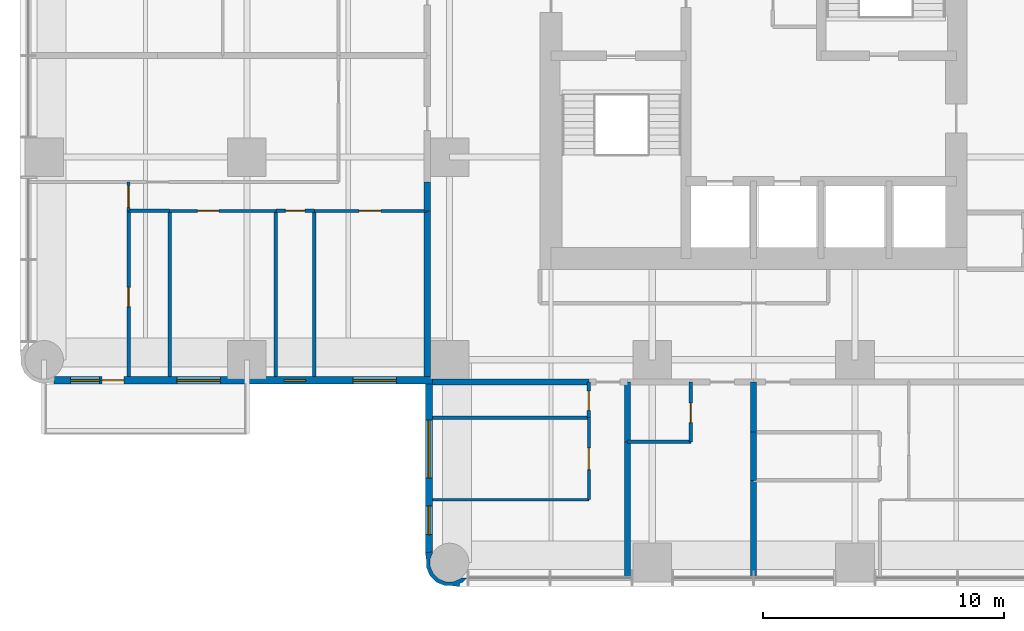
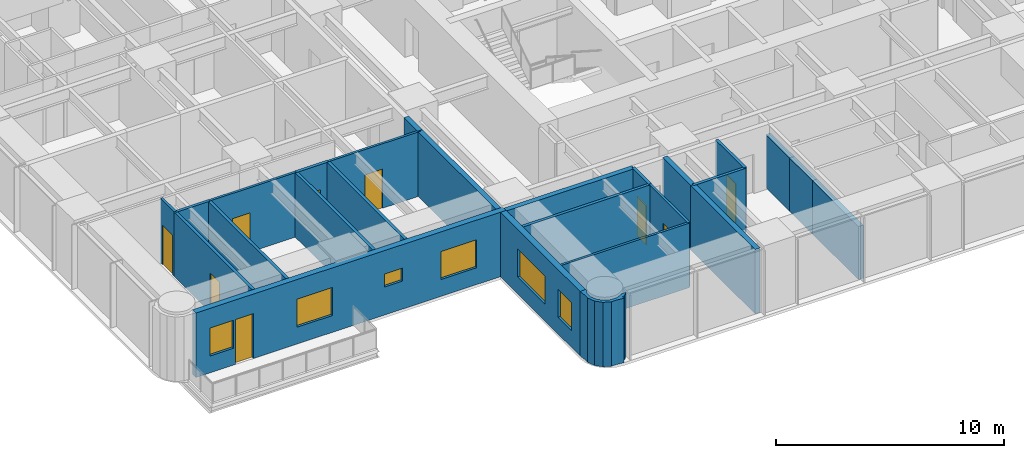
# One storey, part 6 of 14: 26 walls, 9 doors, 6 windows, 15 openings.
"""IFC4 building model written with IfcOpenShell, lengths in metres."""

import ifcopenshell
import ifcopenshell.guid

model = None  # the IFC model being written
_history = None  # IfcOwnerHistory: only IFC2X3 demands one
_inside = {}  # id of a spatial element -> (the spatial element, [elements in it])
_under = {}  # id of a project, library or spatial element -> (it, [spatial elements below it])
_declared = {}  # id of a project -> (the project, [libraries it declares])
_typed = {}  # id of a type object -> (the type object, [elements of that type])
_made_of = {}  # id of a material, layer set ... -> (it, [elements and type objects made of it])


def new_model(schema):
    """Start an empty IFC model of exactly this schema.

    Asked for "IFC4X3", IfcOpenShell would pick the latest addendum, in which some entities
    have other attributes; the version numbers below select the first issue.
    IFC2X3 requires an IfcOwnerHistory on every rooted entity: one is made here for all.
    """
    global model, _history
    if schema == "IFC4X3":
        model = ifcopenshell.file(schema_version=(4, 3, 0, 0))
    else:
        model = ifcopenshell.file(schema=schema)
    _inside.clear()
    _under.clear()
    _declared.clear()
    _typed.clear()
    _made_of.clear()
    _history = None
    if model.schema == "IFC2X3":
        org = make("IfcOrganization", Name="unknown")
        user = make(
            "IfcPersonAndOrganization",
            ThePerson=make("IfcPerson", FamilyName="unknown"),
            TheOrganization=org,
        )
        app = make(
            "IfcApplication",
            ApplicationDeveloper=org,
            Version="unknown",
            ApplicationFullName="unknown",
            ApplicationIdentifier="unknown",
        )
        _history = make(
            "IfcOwnerHistory",
            OwningUser=user,
            OwningApplication=app,
            ChangeAction="ADDED",
            CreationDate=0,
        )
    return model


def make(cls, **values):
    """One entity of the class cls with the attributes given. An attribute that is None is left unset."""
    return model.create_entity(
        cls, **{name: value for name, value in values.items() if value is not None}
    )


def rooted(cls, **values):
    """An entity with a GlobalId (a new one), such as an element, a storey or a relation."""
    return make(cls, GlobalId=ifcopenshell.guid.new(), OwnerHistory=_history, **values)


def si_unit(unit_type, name, prefix=None):
    """IfcSIUnit, for example si_unit("LENGTHUNIT", "METRE", prefix="MILLI")."""
    return make("IfcSIUnit", UnitType=unit_type, Prefix=prefix, Name=name)


def assignment(units):
    """IfcUnitAssignment: the units of a project."""
    return None if units is None else make("IfcUnitAssignment", Units=units)


def point(xyz):
    """IfcCartesianPoint."""
    return None if xyz is None else make("IfcCartesianPoint", Coordinates=xyz)


def direction(xyz):
    """IfcDirection."""
    return None if xyz is None else make("IfcDirection", DirectionRatios=xyz)


def frame(location, z_axis=None, x_axis=None):
    """IfcAxis2Placement3D, a coordinate frame: its origin and axes. An axis left out is left unset."""
    return make(
        "IfcAxis2Placement3D",
        Location=point(location),
        Axis=direction(z_axis),
        RefDirection=direction(x_axis),
    )


def frame_2d(location, x_axis=None):
    """IfcAxis2Placement2D, a coordinate frame in the plane: its origin and x axis."""
    return make(
        "IfcAxis2Placement2D", Location=point(location), RefDirection=direction(x_axis)
    )


def origin():
    """The frame at (0, 0, 0) with its axes left unset."""
    return frame((0.0, 0.0, 0.0))


def place(relative_to, where):
    """IfcLocalPlacement: puts the frame where relative to a parent placement (None: the world)."""
    return make(
        "IfcLocalPlacement", PlacementRelTo=relative_to, RelativePlacement=where
    )


def context(
    kind, dimensions, precision=None, world=None, true_north=None, identifier=None
):
    """IfcGeometricRepresentationContext, for example the 3D "Model" context."""
    return make(
        "IfcGeometricRepresentationContext",
        ContextIdentifier=identifier,
        ContextType=kind,
        CoordinateSpaceDimension=dimensions,
        Precision=precision,
        WorldCoordinateSystem=world,
        TrueNorth=true_north,
    )


def subcontext(parent, identifier, kind, view, scale=None):
    """IfcGeometricRepresentationSubContext, for example "Body" below "Model"."""
    return make(
        "IfcGeometricRepresentationSubContext",
        ContextIdentifier=identifier,
        ContextType=kind,
        ParentContext=parent,
        TargetScale=scale,
        TargetView=view,
    )


def project(units=None, contexts=None):
    """IfcProject with its units and contexts."""
    return rooted(
        "IfcProject",
        Name="project",
        RepresentationContexts=contexts,
        UnitsInContext=assignment(units),
    )


def spatial(cls, under=None, at=None, **own):
    """A site, building, storey or space (cls), placed at a placement, below another one or the project."""
    s = rooted(cls, ObjectPlacement=at, **own)
    if under is not None:
        _under.setdefault(under.id(), (under, []))[1].append(s)
    return s


def polyline(points):
    """IfcPolyline through the points."""
    return make("IfcPolyline", Points=[point(p) for p in points])


def profile(cls, at=None, kind="AREA", **sizes):
    """A parametric profile (cls). Its sizes go by their IFC names, for example OverallWidth=200.0."""
    return make(cls, ProfileType=kind, Position=at, **sizes)


def rectangle(**sizes):
    """IfcRectangleProfileDef."""
    return profile("IfcRectangleProfileDef", **sizes)


def outline(outer, holes=None, kind="AREA"):
    """IfcArbitraryClosedProfileDef: a profile drawn as a closed curve; with holes, ...WithVoids."""
    if holes is None:
        return make("IfcArbitraryClosedProfileDef", ProfileType=kind, OuterCurve=outer)
    return make(
        "IfcArbitraryProfileDefWithVoids",
        ProfileType=kind,
        OuterCurve=outer,
        InnerCurves=holes,
    )


def extrude(swept, where, along, depth):
    """IfcExtrudedAreaSolid: the profile swept, set in the frame where, extruded along a direction by depth."""
    return make(
        "IfcExtrudedAreaSolid",
        SweptArea=swept,
        Position=where,
        ExtrudedDirection=direction(along),
        Depth=depth,
    )


def shape(context_of_items, identifier, shape_type, items):
    """IfcShapeRepresentation: the items that make up one representation, for example the "Body"."""
    return make(
        "IfcShapeRepresentation",
        ContextOfItems=context_of_items,
        RepresentationIdentifier=identifier,
        RepresentationType=shape_type,
        Items=items,
    )


def material(Name=None, Category=None):
    """IfcMaterial."""
    return make("IfcMaterial", Name=Name, Category=Category)


def layer(
    of_material, thickness, ventilated=None, Name=None, Category=None, Priority=None
):
    """IfcMaterialLayer: one layer of a wall or slab, of a material (None: an air gap)."""
    return make(
        "IfcMaterialLayer",
        Material=of_material,
        LayerThickness=thickness,
        IsVentilated=ventilated,
        Name=Name,
        Category=Category,
        Priority=Priority,
    )


def layer_set(layers, Name=None):
    """IfcMaterialLayerSet."""
    return make("IfcMaterialLayerSet", MaterialLayers=layers, LayerSetName=Name)


def made_of(thing, what):
    """Note that an element or type object is made of a material, layer set ...; save() writes the relation."""
    if what is not None:
        _made_of.setdefault(what.id(), (what, []))[1].append(thing)
    return thing


def type_object(cls, material=None, **own):
    """A type object (cls), such as IfcWallType, which elements share."""
    return made_of(rooted(cls, **own), material)


def element(
    cls,
    number,
    at=None,
    inside=None,
    cuts=None,
    type_object=None,
    material=None,
    context=None,
    identifier="Body",
    shape_type=None,
    held_by="IfcProductDefinitionShape",
    body=None,
    shapes=None,
    **own,
):
    """One element of the class cls, such as IfcWall. Its Tag is "e" and its number.

    at: its placement. inside: the storey or other place that contains it. cuts: it is an
    opening in that element (IfcRelVoidsElement). A single representation is given by context,
    identifier, shape_type and body (its items); several are given by shapes. held_by: the class
    of the entity that holds the representations. save() writes the other relations.
    """
    e = rooted(cls, Tag="e%d" % number, ObjectPlacement=at, **own)
    if body is not None:
        shapes = [shape(context, identifier, shape_type, body)]
    if shapes is not None:
        e.Representation = make(held_by, Representations=shapes)
    if inside is not None:
        _inside.setdefault(inside.id(), (inside, []))[1].append(e)
    if cuts is not None:
        rooted(
            "IfcRelVoidsElement", RelatingBuildingElement=cuts, RelatedOpeningElement=e
        )
    if type_object is not None:
        _typed.setdefault(type_object.id(), (type_object, []))[1].append(e)
    return made_of(e, material)


def fill(opening, filler):
    """IfcRelFillsElement: the door or window that sits in an opening."""
    return rooted(
        "IfcRelFillsElement",
        RelatingOpeningElement=opening,
        RelatedBuildingElement=filler,
    )


def aggregate(whole, parts):
    """IfcRelAggregates: a whole, such as a stair, and the parts it consists of."""
    return rooted("IfcRelAggregates", RelatingObject=whole, RelatedObjects=parts)


def save(model, path):
    """Write the relations noted so far, then the file.

    IfcRelAggregates (storeys below a building ...), IfcRelContainedInSpatialStructure (elements
    in a storey), IfcRelDefinesByType, IfcRelAssociatesMaterial and IfcRelDeclares: one each for
    every whole, place, type object, material and project.
    """
    for whole, parts in _under.values():
        aggregate(whole, parts)
    for where, things in _inside.values():
        rooted(
            "IfcRelContainedInSpatialStructure",
            RelatedElements=things,
            RelatingStructure=where,
        )
    for kind, things in _typed.values():
        rooted("IfcRelDefinesByType", RelatedObjects=things, RelatingType=kind)
    for what, things in _made_of.values():
        rooted("IfcRelAssociatesMaterial", RelatedObjects=things, RelatingMaterial=what)
    for by, libraries in _declared.values():
        rooted("IfcRelDeclares", RelatingContext=by, RelatedDefinitions=libraries)
    model.write(path)


model = new_model("IFC4")

# Units and contexts
model_context = context("Model", 3, precision=1e-05, world=origin(), true_north=direction((0.0, 1.0)))
body_context = subcontext(model_context, "Body", "Model", "MODEL_VIEW")
ifc_project = project(units=[si_unit("LENGTHUNIT", "METRE"), si_unit("AREAUNIT", "SQUARE_METRE"), si_unit("VOLUMEUNIT", "CUBIC_METRE"), si_unit("PLANEANGLEUNIT", "RADIAN"), si_unit("MASSUNIT", "GRAM", prefix="KILO")], contexts=[model_context])

# Site, building, storey
site_placement = place(None, origin())
site = spatial("IfcSite", under=ifc_project, at=site_placement, CompositionType="ELEMENT")
building_placement = place(site_placement, origin())
building = spatial("IfcBuilding", under=site, at=building_placement, Name="Torre Alcanfor", CompositionType="ELEMENT")
storey_placement = place(building_placement, frame((0.0, 0.0, 162.89990234375)))
storey = spatial("IfcBuildingStorey", under=building, at=storey_placement, Name="L42", CompositionType="ELEMENT", Elevation=162.89990234375)

# Walls
ifc_material_1 = material(Name="Concrete block masonry, hollow blocks NMX-C-404 9 MPa", Category="masonry")
ifc_layer_1 = layer(ifc_material_1, 0.25)
ifc_layer_set_1 = layer_set([ifc_layer_1], Name="Apartment entrance wall 250 EI 60")
wall_type_1 = type_object("IfcWallType", Name="Apartment entrance wall 250 EI 60", PredefinedType="PARTITIONING", material=ifc_layer_set_1)
wall_1_placement = place(storey_placement, frame((22.571044921875, 15.875, 0.0), z_axis=(0.0, 0.0, 1.0), x_axis=(-1.0, 0.0, 0.0)))
element("IfcWall", 1, at=wall_1_placement, inside=storey, type_object=wall_type_1, Name="Partition L42-CORR / L42-S2B-BATH", PredefinedType="PARTITIONING", context=body_context, shape_type="SweptSolid", body=[
    extrude(rectangle(XDim=6.470947265625, YDim=0.25, at=frame_2d((3.2353515625, 0.0))), origin(), (0.0, 0.0, 1.0), 3.4501953125),
])
wall_2_placement = place(storey_placement, frame((15.875, 22.970947265625, 0.0), z_axis=(0.0, 0.0, 1.0), x_axis=(0.0, 1.0, 0.0)))
element("IfcWall", 2, at=wall_2_placement, inside=storey, type_object=wall_type_1, Name="Partition L42-CORR / L42-W1-HALL", PredefinedType="PARTITIONING", context=body_context, shape_type="SweptSolid", body=[
    extrude(rectangle(XDim=1.199951171875, YDim=0.25, at=frame_2d((0.60009765625, 0.0))), origin(), (0.0, 0.0, 1.0), 3.4501953125),
])
wall_3_placement = place(storey_placement, frame((15.875, 16.10009765625, 0.0), z_axis=(0.0, 0.0, 1.0), x_axis=(0.0, 1.0, 0.0)))
element("IfcWall", 3, at=wall_3_placement, inside=storey, type_object=wall_type_1, Name="Partition L42-CORR / L42-W1-BED3", PredefinedType="PARTITIONING", context=body_context, shape_type="SweptSolid", body=[
    extrude(rectangle(XDim=6.870849609375, YDim=0.25, at=frame_2d((3.435546875, 0.0))), origin(), (0.0, 0.0, 1.0), 3.4501953125),
])
ifc_material_2 = material(Name="Gypsum board on steel studs", Category="steel")
ifc_layer_2 = layer(ifc_material_2, 0.1201171875)
ifc_layer_set_2 = layer_set([ifc_layer_2], Name="Apartment partition 120")
wall_type_2 = type_object("IfcWallType", Name="Apartment partition 120", PredefinedType="PARTITIONING", material=ifc_layer_set_2)
wall_4_placement = place(storey_placement, frame((16.10009765625, 11.0, 0.0), z_axis=(0.0, 0.0, 1.0), x_axis=(1.0, 0.0, 0.0)))
element("IfcWall", 4, at=wall_4_placement, inside=storey, type_object=wall_type_2, Name="Partition L42-S2B-LIVING / L42-S2B-MASTER", PredefinedType="PARTITIONING", context=body_context, shape_type="SweptSolid", body=[
    extrude(rectangle(XDim=6.470947265625, YDim=0.1201171875, at=frame_2d((3.2353515625, 0.0))), origin(), (0.0, 0.0, 1.0), 3.4501953125),
])

# Wall, opening, door
wall_5_placement = place(storey_placement, frame((22.571044921875, 11.0, 0.0), z_axis=(0.0, 0.0, 1.0), x_axis=(0.0, 1.0, 0.0)))
wall_5 = element("IfcWall", 5, at=wall_5_placement, inside=storey, type_object=wall_type_2, Name="Partition L42-S2B-LIVING / L42-S2B-MASTER", PredefinedType="PARTITIONING", context=body_context, shape_type="SweptSolid", body=[
    extrude(rectangle(XDim=3.39990234375, YDim=0.1201171875, at=frame_2d((1.699951171875, 0.0))), origin(), (0.0, 0.0, 1.0), 3.4501953125),
])
opening_1_placement = place(wall_5_placement, frame((1.25, 0.0, 0.0)))
opening_1 = element("IfcOpeningElement", 6, at=opening_1_placement, cuts=wall_5, Name="Opening D-R1", PredefinedType="OPENING", context=body_context, shape_type="SweptSolid", body=[
    extrude(rectangle(XDim=0.89990234375, YDim=2.10009765625, at=frame_2d((0.449951171875, 1.050048828125))), frame((0.0, 0.070068359375, 0.0), z_axis=(0.0, -1.0, 0.0), x_axis=(1.0, 0.0, 0.0)), (0.0, 0.0, 1.0), 0.14013671875),
])
ifc_material_3 = material(Name="Timber", Category="wood")
door_type_1 = type_object("IfcDoorType", Name="Internal door 900x2100", OperationType="SINGLE_SWING_LEFT", PredefinedType="DOOR", material=ifc_material_3)
door_1_placement = place(opening_1_placement, origin())
door_1 = element("IfcDoor", 7, at=door_1_placement, inside=storey, type_object=door_type_1, Name="Door L42-S2B master", OperationType="SINGLE_SWING_LEFT", OverallHeight=2.10009765625, OverallWidth=0.89990234375, PredefinedType="DOOR", context=body_context, shape_type="SweptSolid", body=[
    extrude(rectangle(XDim=0.89990234375, YDim=2.10009765625, at=frame_2d((0.449951171875, 1.050048828125))), frame((0.0, 0.02490234375, 0.0), z_axis=(0.0, -1.0, 0.0), x_axis=(1.0, 0.0, 0.0)), (0.0, 0.0, 1.0), 0.050048828125),
])
fill(opening_1, door_1)

wall_6_placement = place(storey_placement, frame((11.199951171875, 22.970947265625, 0.0), z_axis=(0.0, 0.0, 1.0), x_axis=(1.0, 0.0, 0.0)))
wall_6 = element("IfcWall", 8, at=wall_6_placement, inside=storey, type_object=wall_type_2, Name="Partition L42-W1-HALL / L42-W1-BED3", PredefinedType="PARTITIONING", context=body_context, shape_type="SweptSolid", body=[
    extrude(rectangle(XDim=4.675048828125, YDim=0.1201171875, at=frame_2d((2.33740234375, 0.0))), origin(), (0.0, 0.0, 1.0), 3.4501953125),
])
opening_2_placement = place(wall_6_placement, frame((1.85009765625, 0.0, 0.0)))
opening_2 = element("IfcOpeningElement", 9, at=opening_2_placement, cuts=wall_6, Name="Opening D-R1", PredefinedType="OPENING", context=body_context, shape_type="SweptSolid", body=[
    extrude(rectangle(XDim=0.89990234375, YDim=2.10009765625, at=frame_2d((0.449951171875, 1.050048828125))), frame((0.0, 0.070068359375, 0.0), z_axis=(0.0, -1.0, 0.0), x_axis=(1.0, 0.0, 0.0)), (0.0, 0.0, 1.0), 0.14013671875),
])
door_2_placement = place(opening_2_placement, frame((0.89990234375, 0.0, 0.0), z_axis=(0.0, 0.0, 1.0), x_axis=(-1.0, 0.0, 0.0)))
door_2 = element("IfcDoor", 10, at=door_2_placement, inside=storey, type_object=door_type_1, Name="Door L42-W1 bed3", OperationType="SINGLE_SWING_RIGHT", OverallHeight=2.10009765625, OverallWidth=0.89990234375, PredefinedType="DOOR", context=body_context, shape_type="SweptSolid", body=[
    extrude(rectangle(XDim=0.89990234375, YDim=2.10009765625, at=frame_2d((0.449951171875, 1.050048828125))), frame((0.0, 0.025146484375, 0.0), z_axis=(0.0, -1.0, 0.0), x_axis=(1.0, 0.0, 0.0)), (0.0, 0.0, 1.0), 0.050048828125),
])
fill(opening_2, door_2)

wall_7_placement = place(storey_placement, frame((5.199951171875, 22.970947265625, 0.0), z_axis=(0.0, 0.0, 1.0), x_axis=(1.0, 0.0, 0.0)))
wall_7 = element("IfcWall", 11, at=wall_7_placement, inside=storey, type_object=wall_type_2, Name="Partition L42-W1-HALL / L42-W1-BED2", PredefinedType="PARTITIONING", context=body_context, shape_type="SweptSolid", body=[
    extrude(rectangle(XDim=4.400146484375, YDim=0.1201171875, at=frame_2d((2.2001953125, 0.0))), origin(), (0.0, 0.0, 1.0), 3.4501953125),
])
opening_3_placement = place(wall_7_placement, frame((1.14990234375, 0.0, 0.0)))
opening_3 = element("IfcOpeningElement", 12, at=opening_3_placement, cuts=wall_7, Name="Opening D-R1", PredefinedType="OPENING", context=body_context, shape_type="SweptSolid", body=[
    extrude(rectangle(XDim=0.89990234375, YDim=2.10009765625, at=frame_2d((0.449951171875, 1.050048828125))), frame((0.0, 0.070068359375, 0.0), z_axis=(0.0, -1.0, 0.0), x_axis=(1.0, 0.0, 0.0)), (0.0, 0.0, 1.0), 0.14013671875),
])
door_3_placement = place(opening_3_placement, frame((0.89990234375, 0.0, 0.0), z_axis=(0.0, 0.0, 1.0), x_axis=(-1.0, 0.0, 0.0)))
door_3 = element("IfcDoor", 13, at=door_3_placement, inside=storey, type_object=door_type_1, Name="Door L42-W1 bed2", OperationType="SINGLE_SWING_RIGHT", OverallHeight=2.10009765625, OverallWidth=0.89990234375, PredefinedType="DOOR", context=body_context, shape_type="SweptSolid", body=[
    extrude(rectangle(XDim=0.89990234375, YDim=2.10009765625, at=frame_2d((0.449951171875, 1.050048828125))), frame((0.0, 0.025146484375, 0.0), z_axis=(0.0, -1.0, 0.0), x_axis=(1.0, 0.0, 0.0)), (0.0, 0.0, 1.0), 0.050048828125),
])
fill(opening_3, door_3)

wall_8_placement = place(storey_placement, frame((3.5, 24.1708984375, 0.0), z_axis=(0.0, 0.0, 1.0), x_axis=(0.0, -1.0, 0.0)))
wall_8 = element("IfcWall", 14, at=wall_8_placement, inside=storey, type_object=wall_type_2, Name="Partition L42-W1-HALL / L42-W1-MASTER", PredefinedType="PARTITIONING", context=body_context, shape_type="SweptSolid", body=[
    extrude(rectangle(XDim=1.199951171875, YDim=0.1201171875, at=frame_2d((0.60009765625, 0.0))), origin(), (0.0, 0.0, 1.0), 3.4501953125),
])
opening_4_placement = place(wall_8_placement, frame((0.15087890625, 0.0, 0.0)))
opening_4 = element("IfcOpeningElement", 15, at=opening_4_placement, cuts=wall_8, Name="Opening D-R1", PredefinedType="OPENING", context=body_context, shape_type="SweptSolid", body=[
    extrude(rectangle(XDim=0.89990234375, YDim=2.10009765625, at=frame_2d((0.449951171875, 1.050048828125))), frame((0.0, 0.070068359375, 0.0), z_axis=(0.0, -1.0, 0.0), x_axis=(1.0, 0.0, 0.0)), (0.0, 0.0, 1.0), 0.14013671875),
])
door_4_placement = place(opening_4_placement, frame((0.89990234375, 0.0, 0.0), z_axis=(0.0, 0.0, 1.0), x_axis=(-1.0, 0.0, 0.0)))
door_4 = element("IfcDoor", 16, at=door_4_placement, inside=storey, type_object=door_type_1, Name="Door L42-W1 master", OperationType="SINGLE_SWING_RIGHT", OverallHeight=2.10009765625, OverallWidth=0.89990234375, PredefinedType="DOOR", context=body_context, shape_type="SweptSolid", body=[
    extrude(rectangle(XDim=0.89990234375, YDim=2.10009765625, at=frame_2d((0.449951171875, 1.050048828125))), frame((0.0, 0.025146484375, 0.0), z_axis=(0.0, -1.0, 0.0), x_axis=(1.0, 0.0, 0.0)), (0.0, 0.0, 1.0), 0.050048828125),
])
fill(opening_4, door_4)

# Wall, openings, door, windows
ifc_material_4 = material(Name="Limestone cladding", Category="masonry")
ifc_layer_3 = layer(ifc_material_4, 0.0400390625, Name="Facing")
ifc_material_5 = material(Name="Ventilated air cavity")
ifc_layer_4 = layer(ifc_material_5, 0.02001953125, ventilated=True, Name="Ventilated joint")
ifc_material_6 = material(Name="Mineral wool insulation", Category="insulation")
ifc_layer_5 = layer(ifc_material_6, 0.10009765625, Name="Insulation")
ifc_material_7 = material(Name="Concrete f'c 35 MPa", Category="concrete")
ifc_layer_6 = layer(ifc_material_7, 0.139892578125, Name="Backing")
ifc_layer_set_3 = layer_set([ifc_layer_3, ifc_layer_4, ifc_layer_5, ifc_layer_6], Name="External wall stone-clad 300")
wall_type_3 = type_object("IfcWallType", Name="External wall stone-clad 300", PredefinedType="SOLIDWALL", material=ifc_layer_set_3)
wall_9_placement = place(storey_placement, frame((0.39990234375, 15.949951171875, 0.0), z_axis=(0.0, 0.0, 1.0), x_axis=(1.0, 0.0, 0.0)))
wall_9 = element("IfcWall", 17, at=wall_9_placement, inside=storey, type_object=wall_type_3, Name="External wall L42 3", PredefinedType="SOLIDWALL", context=body_context, shape_type="SweptSolid", body=[
    extrude(rectangle(XDim=15.7001953125, YDim=0.300048828125, at=frame_2d((7.85009765625, 0.0))), origin(), (0.0, 0.0, 1.0), 3.4501953125),
])
opening_5_placement = place(wall_9_placement, frame((12.39990234375, 0.0, 0.89990234375)))
opening_5 = element("IfcOpeningElement", 18, at=opening_5_placement, cuts=wall_9, Name="Opening W2", PredefinedType="OPENING", context=body_context, shape_type="SweptSolid", body=[
    extrude(rectangle(XDim=1.800048828125, YDim=1.5, at=frame_2d((0.89990234375, 0.75))), frame((0.0, 0.159912109375, 0.0), z_axis=(0.0, -1.0, 0.0), x_axis=(1.0, 0.0, 0.0)), (0.0, 0.0, 1.0), 0.320068359375),
])
opening_6_placement = place(wall_9_placement, frame((9.550048828125, 0.0, 1.5)))
opening_6 = element("IfcOpeningElement", 19, at=opening_6_placement, cuts=wall_9, Name="Opening W3", PredefinedType="OPENING", context=body_context, shape_type="SweptSolid", body=[
    extrude(rectangle(XDim=0.89990234375, YDim=0.699951171875, at=frame_2d((0.449951171875, 0.35009765625))), frame((0.0, 0.159912109375, 0.0), z_axis=(0.0, -1.0, 0.0), x_axis=(1.0, 0.0, 0.0)), (0.0, 0.0, 1.0), 0.320068359375),
])
opening_7_placement = place(wall_9_placement, frame((5.10009765625, 0.0, 0.89990234375)))
opening_7 = element("IfcOpeningElement", 20, at=opening_7_placement, cuts=wall_9, Name="Opening W2", PredefinedType="OPENING", context=body_context, shape_type="SweptSolid", body=[
    extrude(rectangle(XDim=1.800048828125, YDim=1.5, at=frame_2d((0.89990234375, 0.75))), frame((0.0, 0.159912109375, 0.0), z_axis=(0.0, -1.0, 0.0), x_axis=(1.0, 0.0, 0.0)), (0.0, 0.0, 1.0), 0.320068359375),
])
opening_8_placement = place(wall_9_placement, frame((2.0, 0.0, 0.0)))
opening_8 = element("IfcOpeningElement", 21, at=opening_8_placement, cuts=wall_9, Name="Opening D-B1", PredefinedType="OPENING", context=body_context, shape_type="SweptSolid", body=[
    extrude(rectangle(XDim=0.89990234375, YDim=2.39990234375, at=frame_2d((0.449951171875, 1.199951171875))), frame((0.0, 0.159912109375, 0.0), z_axis=(0.0, -1.0, 0.0), x_axis=(1.0, 0.0, 0.0)), (0.0, 0.0, 1.0), 0.320068359375),
])
opening_9_placement = place(wall_9_placement, frame((0.699951171875, 0.0, 0.89990234375)))
opening_9 = element("IfcOpeningElement", 22, at=opening_9_placement, cuts=wall_9, Name="Opening W4", PredefinedType="OPENING", context=body_context, shape_type="SweptSolid", body=[
    extrude(rectangle(XDim=1.199951171875, YDim=1.5, at=frame_2d((0.60009765625, 0.75))), frame((0.0, 0.159912109375, 0.0), z_axis=(0.0, -1.0, 0.0), x_axis=(1.0, 0.0, 0.0)), (0.0, 0.0, 1.0), 0.320068359375),
])
ifc_material_8 = material(Name="Aluminium and glass", Category="aluminium")
door_type_2 = type_object("IfcDoorType", Name="Balcony door glazed 900x2400", OperationType="SINGLE_SWING_LEFT", PredefinedType="DOOR", material=ifc_material_8)
door_5_placement = place(opening_8_placement, origin())
door_5 = element("IfcDoor", 23, at=door_5_placement, inside=storey, type_object=door_type_2, Name="Balcony door L42-W1", OperationType="SINGLE_SWING_RIGHT", OverallHeight=2.39990234375, OverallWidth=0.89990234375, PredefinedType="DOOR", context=body_context, shape_type="SweptSolid", body=[
    extrude(rectangle(XDim=0.89990234375, YDim=2.39990234375, at=frame_2d((0.449951171875, 1.199951171875))), frame((0.0, 0.02490234375, 0.0), z_axis=(0.0, -1.0, 0.0), x_axis=(1.0, 0.0, 0.0)), (0.0, 0.0, 1.0), 0.050048828125),
])
fill(opening_8, door_5)
ifc_material_9 = material(Name="Aluminium frame with clear double glazing", Category="aluminium")
window_type_1 = type_object("IfcWindowType", Name="Window bathroom 900x700", PartitioningType="SINGLE_PANEL", PredefinedType="WINDOW", material=ifc_material_9)
window_1_placement = place(opening_6_placement, origin())
window_1 = element("IfcWindow", 24, at=window_1_placement, inside=storey, type_object=window_type_1, Name="Window W3 L42-W1", OverallHeight=0.699951171875, OverallWidth=0.89990234375, PartitioningType="SINGLE_PANEL", PredefinedType="WINDOW", context=body_context, shape_type="SweptSolid", body=[
    extrude(rectangle(XDim=0.89990234375, YDim=0.699951171875, at=frame_2d((0.449951171875, 0.35009765625))), frame((0.0, 0.030029296875, 0.0), z_axis=(0.0, -1.0, 0.0), x_axis=(1.0, 0.0, 0.0)), (0.0, 0.0, 1.0), 0.06005859375),
])
fill(opening_6, window_1)
ifc_material_10 = material(Name="Aluminium frame with clear double glazing", Category="aluminium")
window_type_2 = type_object("IfcWindowType", Name="Window bedroom 1200x1500", PartitioningType="SINGLE_PANEL", PredefinedType="WINDOW", material=ifc_material_10)
window_2_placement = place(opening_9_placement, origin())
window_2 = element("IfcWindow", 25, at=window_2_placement, inside=storey, type_object=window_type_2, Name="Window W4 L42-W1", OverallHeight=1.5, OverallWidth=1.199951171875, PartitioningType="SINGLE_PANEL", PredefinedType="WINDOW", context=body_context, shape_type="SweptSolid", body=[
    extrude(rectangle(XDim=1.199951171875, YDim=1.5, at=frame_2d((0.60009765625, 0.75))), frame((0.0, 0.030029296875, 0.0), z_axis=(0.0, -1.0, 0.0), x_axis=(1.0, 0.0, 0.0)), (0.0, 0.0, 1.0), 0.06005859375),
])
fill(opening_9, window_2)
ifc_material_11 = material(Name="Aluminium frame with clear double glazing", Category="aluminium")
window_type_3 = type_object("IfcWindowType", Name="Window bedroom 1800x1500", PartitioningType="SINGLE_PANEL", PredefinedType="WINDOW", material=ifc_material_11)
window_3_placement = place(opening_5_placement, origin())
window_3 = element("IfcWindow", 26, at=window_3_placement, inside=storey, type_object=window_type_3, Name="Window W2 L42-W1", OverallHeight=1.5, OverallWidth=1.800048828125, PartitioningType="SINGLE_PANEL", PredefinedType="WINDOW", context=body_context, shape_type="SweptSolid", body=[
    extrude(rectangle(XDim=1.800048828125, YDim=1.5, at=frame_2d((0.89990234375, 0.75))), frame((0.0, 0.030029296875, 0.0), z_axis=(0.0, -1.0, 0.0), x_axis=(1.0, 0.0, 0.0)), (0.0, 0.0, 1.0), 0.06005859375),
])
fill(opening_5, window_3)
window_4_placement = place(opening_7_placement, origin())
window_4 = element("IfcWindow", 27, at=window_4_placement, inside=storey, type_object=window_type_3, Name="Window W2 L42-W1", OverallHeight=1.5, OverallWidth=1.800048828125, PartitioningType="SINGLE_PANEL", PredefinedType="WINDOW", context=body_context, shape_type="SweptSolid", body=[
    extrude(rectangle(XDim=1.800048828125, YDim=1.5, at=frame_2d((0.89990234375, 0.75))), frame((0.0, 0.030029296875, 0.0), z_axis=(0.0, -1.0, 0.0), x_axis=(1.0, 0.0, 0.0)), (0.0, 0.0, 1.0), 0.06005859375),
])
fill(opening_7, window_4)

# Wall, openings, windows
wall_10_placement = place(storey_placement, frame((15.949951171875, 15.800048828125, 0.0), z_axis=(0.0, 0.0, 1.0), x_axis=(0.0, -1.0, 0.0)))
wall_10 = element("IfcWall", 28, at=wall_10_placement, inside=storey, type_object=wall_type_3, Name="External wall L42 4", PredefinedType="SOLIDWALL", context=body_context, shape_type="SweptSolid", body=[
    extrude(rectangle(XDim=7.0, YDim=0.300048828125, at=frame_2d((3.5, 0.0))), origin(), (0.0, 0.0, 1.0), 3.4501953125),
])
opening_10_placement = place(wall_10_placement, frame((1.5, 0.0, 0.89990234375)))
opening_10 = element("IfcOpeningElement", 29, at=opening_10_placement, cuts=wall_10, Name="Opening W1", PredefinedType="OPENING", context=body_context, shape_type="SweptSolid", body=[
    extrude(rectangle(XDim=2.39990234375, YDim=1.5, at=frame_2d((1.199951171875, 0.75))), frame((0.0, 0.159912109375, 0.0), z_axis=(0.0, -1.0, 0.0), x_axis=(1.0, 0.0, 0.0)), (0.0, 0.0, 1.0), 0.320068359375),
])
opening_11_placement = place(wall_10_placement, frame((5.050048828125, 0.0, 0.89990234375)))
opening_11 = element("IfcOpeningElement", 30, at=opening_11_placement, cuts=wall_10, Name="Opening W4", PredefinedType="OPENING", context=body_context, shape_type="SweptSolid", body=[
    extrude(rectangle(XDim=1.199951171875, YDim=1.5, at=frame_2d((0.60009765625, 0.75))), frame((0.0, 0.159912109375, 0.0), z_axis=(0.0, -1.0, 0.0), x_axis=(1.0, 0.0, 0.0)), (0.0, 0.0, 1.0), 0.320068359375),
])
window_5_placement = place(opening_11_placement, origin())
window_5 = element("IfcWindow", 31, at=window_5_placement, inside=storey, type_object=window_type_2, Name="Window W4 L42-S2", OverallHeight=1.5, OverallWidth=1.199951171875, PartitioningType="SINGLE_PANEL", PredefinedType="WINDOW", context=body_context, shape_type="SweptSolid", body=[
    extrude(rectangle(XDim=1.199951171875, YDim=1.5, at=frame_2d((0.60009765625, 0.75))), frame((0.0, 0.030029296875, 0.0), z_axis=(0.0, -1.0, 0.0), x_axis=(1.0, 0.0, 0.0)), (0.0, 0.0, 1.0), 0.06005859375),
])
fill(opening_11, window_5)
ifc_material_12 = material(Name="Aluminium frame with clear double glazing", Category="aluminium")
window_type_4 = type_object("IfcWindowType", Name="Window bedroom 2400x1500", PartitioningType="SINGLE_PANEL", PredefinedType="WINDOW", material=ifc_material_12)
window_6_placement = place(opening_10_placement, origin())
window_6 = element("IfcWindow", 32, at=window_6_placement, inside=storey, type_object=window_type_4, Name="Window W1 L42-S2", OverallHeight=1.5, OverallWidth=2.39990234375, PartitioningType="SINGLE_PANEL", PredefinedType="WINDOW", context=body_context, shape_type="SweptSolid", body=[
    extrude(rectangle(XDim=2.39990234375, YDim=1.5, at=frame_2d((1.199951171875, 0.75))), frame((0.0, 0.030029296875, 0.0), z_axis=(0.0, -1.0, 0.0), x_axis=(1.0, 0.0, 0.0)), (0.0, 0.0, 1.0), 0.06005859375),
])
fill(opening_10, window_6)

# Walls
ifc_material_13 = material(Name="Concrete block masonry, hollow blocks NMX-C-404 9 MPa", Category="masonry")
ifc_layer_7 = layer(ifc_material_13, 0.25)
ifc_layer_set_4 = layer_set([ifc_layer_7], Name="Party wall 250 EI 60")
wall_type_4 = type_object("IfcWallType", Name="Party wall 250 EI 60", PredefinedType="PARTITIONING", material=ifc_layer_set_4)
wall_11_placement = place(storey_placement, frame((29.39990234375, 13.800048828125, 0.0), z_axis=(0.0, 0.0, 1.0), x_axis=(0.0, -1.0, 0.0)))
element("IfcWall", 33, at=wall_11_placement, inside=storey, type_object=wall_type_4, Name="Partition L42-S1-BATH / L42-S2A-STUDIO", PredefinedType="PARTITIONING", context=body_context, shape_type="SweptSolid", body=[
    extrude(rectangle(XDim=2.0, YDim=0.25, at=frame_2d((1.0, 0.0))), origin(), (0.0, 0.0, 1.0), 2.84814453125),
])
wall_12_placement = place(storey_placement, frame((29.39990234375, 7.75, 0.0), z_axis=(0.0, 0.0, 1.0), x_axis=(0.0, 1.0, 0.0)))
element("IfcWall", 34, at=wall_12_placement, inside=storey, type_object=wall_type_4, Name="Partition L42-S1-LIVING / L42-S2A-STUDIO", PredefinedType="PARTITIONING", context=body_context, shape_type="SweptSolid", body=[
    extrude(rectangle(XDim=4.050048828125, YDim=0.25, at=frame_2d((2.02490234375, 0.0))), origin(), (0.0, 0.0, 1.0), 2.84814453125),
])
wall_13_placement = place(storey_placement, frame((29.39990234375, 13.800048828125, 0.0), z_axis=(0.0, 0.0, 1.0), x_axis=(0.0, 1.0, 0.0)))
element("IfcWall", 35, at=wall_13_placement, inside=storey, type_object=wall_type_4, Name="Partition L42-S1-LIVING / L42-S2A-STUDIO", PredefinedType="PARTITIONING", context=body_context, shape_type="SweptSolid", body=[
    extrude(rectangle(XDim=2.074951171875, YDim=0.25, at=frame_2d((1.03759765625, 0.0))), origin(), (0.0, 0.0, 1.0), 2.84814453125),
])
wall_14_placement = place(storey_placement, frame((24.1708984375, 7.75, 0.0), z_axis=(0.0, 0.0, 1.0), x_axis=(0.0, 1.0, 0.0)))
element("IfcWall", 36, at=wall_14_placement, inside=storey, type_object=wall_type_4, Name="Partition L42-S2A-STUDIO / L42-S2B-LIVING", PredefinedType="PARTITIONING", context=body_context, shape_type="SweptSolid", body=[
    extrude(rectangle(XDim=5.64990234375, YDim=0.25, at=frame_2d((2.824951171875, 0.0))), origin(), (0.0, 0.0, 1.0), 3.4501953125),
])
wall_15_placement = place(storey_placement, frame((24.1708984375, 13.39990234375, 0.0), z_axis=(0.0, 0.0, 1.0), x_axis=(0.0, 1.0, 0.0)))
element("IfcWall", 37, at=wall_15_placement, inside=storey, type_object=wall_type_4, Name="Partition L42-S2A-BATH / L42-S2B-LIVING", PredefinedType="PARTITIONING", context=body_context, shape_type="SweptSolid", body=[
    extrude(rectangle(XDim=2.47509765625, YDim=0.25, at=frame_2d((1.237548828125, 0.0))), origin(), (0.0, 0.0, 1.0), 3.4501953125),
])
ifc_layer_8 = layer(ifc_material_4, 0.0400390625, Name="Facing")
ifc_layer_9 = layer(ifc_material_5, 0.02001953125, ventilated=True, Name="Ventilated joint")
ifc_layer_10 = layer(ifc_material_6, 0.10009765625, Name="Insulation")
ifc_layer_11 = layer(ifc_material_7, 0.139892578125, Name="Backing")
ifc_layer_set_5 = layer_set([ifc_layer_8, ifc_layer_9, ifc_layer_10, ifc_layer_11], Name="Rounded corner pier stone-clad 300")
wall_type_5 = type_object("IfcWallType", Name="Rounded corner pier stone-clad 300", PredefinedType="SOLIDWALL", material=ifc_layer_set_5)
wall_16_placement = place(storey_placement, frame((15.982940512, 8.726823795, 0.0), z_axis=(0.0, 0.0, 1.0), x_axis=(-0.343276641956, -0.93923434088, 0.0)))
element("IfcWall", 38, at=wall_16_placement, inside=storey, type_object=wall_type_5, Name="Corner pier L42 15", PredefinedType="SOLIDWALL", context=body_context, shape_type="SweptSolid", body=[
    extrude(outline(polyline([(0.8285188621172053, 1.5985593448955209), (0.6965961152022397, 1.5690588556644411), (0.6041961706613557, 1.669674810951586), (0.3940973255728224, 1.767303623446145), (0.47128428534856764, 1.55611347990365), (0.5085447362659081, 1.5387992791780876), (0.7240402358503313, 1.3040772160031127), (0.8334093808094493, 1.0048338530031606), (0.8200582319080854, 0.6864716314609828), (0.6857640531711582, 0.3974683020769049), (0.4510419899961833, 0.18197280249248177), (0.15179862699623123, 0.07260365753336384), (-0.11622928371084919, 0.08407628105020303), (-0.1273371975026375, 0.0781969477675098), (-0.14614022874094865, 0.07132471030647711), (-0.0059930226407584886, -0.19691459363495123), (0.26574754989690047, -0.054967852634112954), (0.535410534485363, 0.043590089489965705), (0.8166395849446566, 0.30181686768145743), (0.9775598034528271, 0.6481198820896807), (0.9938114202888776, 1.0296668379252687), (0.8951696703908839, 1.299559127772735), (0.8285188621172053, 1.5985593448955209)])), origin(), (0.0, 0.0, 1.0), 3.4501953125),
])
ifc_material_14 = material(Name="Cement board on steel studs", Category="steel")
ifc_layer_12 = layer(ifc_material_14, 0.14990234375)
ifc_layer_set_6 = layer_set([ifc_layer_12], Name="Wet area partition 150")
wall_type_6 = type_object("IfcWallType", Name="Wet area partition 150", PredefinedType="PARTITIONING", material=ifc_layer_set_6)
wall_17_placement = place(storey_placement, frame((24.1708984375, 13.39990234375, 0.0), z_axis=(0.0, 0.0, 1.0), x_axis=(1.0, 0.0, 0.0)))
element("IfcWall", 39, at=wall_17_placement, inside=storey, type_object=wall_type_6, Name="Partition L42-S2A-STUDIO / L42-S2A-BATH", PredefinedType="PARTITIONING", context=body_context, shape_type="SweptSolid", body=[
    extrude(rectangle(XDim=2.629150390625, YDim=0.14990234375, at=frame_2d((1.314453125, 0.0))), origin(), (0.0, 0.0, 1.0), 3.4501953125),
])

# Wall, opening, door
wall_18_placement = place(storey_placement, frame((26.800048828125, 13.39990234375, 0.0), z_axis=(0.0, 0.0, 1.0), x_axis=(0.0, 1.0, 0.0)))
wall_18 = element("IfcWall", 40, at=wall_18_placement, inside=storey, type_object=wall_type_6, Name="Partition L42-S2A-STUDIO / L42-S2A-BATH", PredefinedType="PARTITIONING", context=body_context, shape_type="SweptSolid", body=[
    extrude(rectangle(XDim=2.47509765625, YDim=0.14990234375, at=frame_2d((1.237548828125, 0.0))), origin(), (0.0, 0.0, 1.0), 3.4501953125),
])
opening_12_placement = place(wall_18_placement, frame((0.800048828125, 0.0, 0.0)))
opening_12 = element("IfcOpeningElement", 41, at=opening_12_placement, cuts=wall_18, Name="Opening D-R2", PredefinedType="OPENING", context=body_context, shape_type="SweptSolid", body=[
    extrude(rectangle(XDim=0.800048828125, YDim=2.10009765625, at=frame_2d((0.39990234375, 1.050048828125))), frame((0.0, 0.0849609375, 0.0), z_axis=(0.0, -1.0, 0.0), x_axis=(1.0, 0.0, 0.0)), (0.0, 0.0, 1.0), 0.169921875),
])
ifc_material_15 = material(Name="Timber", Category="wood")
door_type_3 = type_object("IfcDoorType", Name="Bathroom door 800x2100", OperationType="SINGLE_SWING_LEFT", PredefinedType="DOOR", material=ifc_material_15)
door_6_placement = place(opening_12_placement, origin())
door_6 = element("IfcDoor", 42, at=door_6_placement, inside=storey, type_object=door_type_3, Name="Door L42-S2A bath", OperationType="SINGLE_SWING_LEFT", OverallHeight=2.10009765625, OverallWidth=0.800048828125, PredefinedType="DOOR", context=body_context, shape_type="SweptSolid", body=[
    extrude(rectangle(XDim=0.800048828125, YDim=2.10009765625, at=frame_2d((0.39990234375, 1.050048828125))), frame((0.0, 0.02490234375, 0.0), z_axis=(0.0, -1.0, 0.0), x_axis=(1.0, 0.0, 0.0)), (0.0, 0.0, 1.0), 0.050048828125),
])
fill(opening_12, door_6)

wall_19_placement = place(storey_placement, frame((22.571044921875, 14.39990234375, 0.0), z_axis=(0.0, 0.0, 1.0), x_axis=(0.0, 1.0, 0.0)))
wall_19 = element("IfcWall", 43, at=wall_19_placement, inside=storey, type_object=wall_type_6, Name="Partition L42-S2B-LIVING / L42-S2B-BATH", PredefinedType="PARTITIONING", context=body_context, shape_type="SweptSolid", body=[
    extrude(rectangle(XDim=1.47509765625, YDim=0.14990234375, at=frame_2d((0.737548828125, 0.0))), origin(), (0.0, 0.0, 1.0), 3.4501953125),
])
opening_13_placement = place(wall_19_placement, frame((0.300048828125, 0.0, 0.0)))
opening_13 = element("IfcOpeningElement", 44, at=opening_13_placement, cuts=wall_19, Name="Opening D-R2", PredefinedType="OPENING", context=body_context, shape_type="SweptSolid", body=[
    extrude(rectangle(XDim=0.800048828125, YDim=2.10009765625, at=frame_2d((0.39990234375, 1.050048828125))), frame((0.0, 0.0849609375, 0.0), z_axis=(0.0, -1.0, 0.0), x_axis=(1.0, 0.0, 0.0)), (0.0, 0.0, 1.0), 0.169921875),
])
door_7_placement = place(opening_13_placement, origin())
door_7 = element("IfcDoor", 45, at=door_7_placement, inside=storey, type_object=door_type_3, Name="Door L42-S2B bath", OperationType="SINGLE_SWING_LEFT", OverallHeight=2.10009765625, OverallWidth=0.800048828125, PredefinedType="DOOR", context=body_context, shape_type="SweptSolid", body=[
    extrude(rectangle(XDim=0.800048828125, YDim=2.10009765625, at=frame_2d((0.39990234375, 1.050048828125))), frame((0.0, 0.02490234375, 0.0), z_axis=(0.0, -1.0, 0.0), x_axis=(1.0, 0.0, 0.0)), (0.0, 0.0, 1.0), 0.050048828125),
])
fill(opening_13, door_7)

# Wall
wall_20_placement = place(storey_placement, frame((22.571044921875, 14.39990234375, 0.0), z_axis=(0.0, 0.0, 1.0), x_axis=(-1.0, 0.0, 0.0)))
element("IfcWall", 46, at=wall_20_placement, inside=storey, type_object=wall_type_6, Name="Partition L42-S2B-BATH / L42-S2B-MASTER", PredefinedType="PARTITIONING", context=body_context, shape_type="SweptSolid", body=[
    extrude(rectangle(XDim=6.470947265625, YDim=0.14990234375, at=frame_2d((3.2353515625, 0.0))), origin(), (0.0, 0.0, 1.0), 3.4501953125),
])

# Wall, opening, door
wall_21_placement = place(storey_placement, frame((9.60009765625, 22.970947265625, 0.0), z_axis=(0.0, 0.0, 1.0), x_axis=(1.0, 0.0, 0.0)))
wall_21 = element("IfcWall", 47, at=wall_21_placement, inside=storey, type_object=wall_type_6, Name="Partition L42-W1-HALL / L42-W1-BATH1", PredefinedType="PARTITIONING", context=body_context, shape_type="SweptSolid", body=[
    extrude(rectangle(XDim=1.599853515625, YDim=0.14990234375, at=frame_2d((0.7998046875, 0.0))), origin(), (0.0, 0.0, 1.0), 3.4501953125),
])
opening_14_placement = place(wall_21_placement, frame((0.39990234375, 0.0, 0.0)))
opening_14 = element("IfcOpeningElement", 48, at=opening_14_placement, cuts=wall_21, Name="Opening D-R2", PredefinedType="OPENING", context=body_context, shape_type="SweptSolid", body=[
    extrude(rectangle(XDim=0.800048828125, YDim=2.10009765625, at=frame_2d((0.39990234375, 1.050048828125))), frame((0.0, 0.0849609375, 0.0), z_axis=(0.0, -1.0, 0.0), x_axis=(1.0, 0.0, 0.0)), (0.0, 0.0, 1.0), 0.169921875),
])
door_8_placement = place(opening_14_placement, frame((0.800048828125, 0.0, 0.0), z_axis=(0.0, 0.0, 1.0), x_axis=(-1.0, 0.0, 0.0)))
door_8 = element("IfcDoor", 49, at=door_8_placement, inside=storey, type_object=door_type_3, Name="Door L42-W1 bath1", OperationType="SINGLE_SWING_RIGHT", OverallHeight=2.10009765625, OverallWidth=0.800048828125, PredefinedType="DOOR", context=body_context, shape_type="SweptSolid", body=[
    extrude(rectangle(XDim=0.800048828125, YDim=2.10009765625, at=frame_2d((0.400146484375, 1.050048828125))), frame((0.0, 0.025146484375, 0.0), z_axis=(0.0, -1.0, 0.0), x_axis=(1.0, 0.0, 0.0)), (0.0, 0.0, 1.0), 0.050048828125),
])
fill(opening_14, door_8)

# Walls
wall_22_placement = place(storey_placement, frame((3.5, 22.970947265625, 0.0), z_axis=(0.0, 0.0, 1.0), x_axis=(1.0, 0.0, 0.0)))
element("IfcWall", 50, at=wall_22_placement, inside=storey, type_object=wall_type_6, Name="Partition L42-W1-HALL / L42-W1-ENSBATH", PredefinedType="PARTITIONING", context=body_context, shape_type="SweptSolid", body=[
    extrude(rectangle(XDim=1.699951171875, YDim=0.14990234375, at=frame_2d((0.85009765625, 0.0))), origin(), (0.0, 0.0, 1.0), 3.4501953125),
])
for number, where, z_axis, x_axis, name in (
    (51, (11.199951171875, 22.970947265625, 0.0), (0.0, 0.0, 1.0), (0.0, -1.0, 0.0), "Partition L42-W1-BED3 / L42-W1-BATH1"),
    (52, (9.60009765625, 22.970947265625, 0.0), (0.0, 0.0, 1.0), (0.0, -1.0, 0.0), "Partition L42-W1-BATH1 / L42-W1-BED2"),
    (53, (5.199951171875, 22.970947265625, 0.0), (0.0, 0.0, 1.0), (0.0, -1.0, 0.0), "Partition L42-W1-BED2 / L42-W1-ENSBATH"),
):
    element("IfcWall", number, at=place(storey_placement, frame(where, z_axis=z_axis, x_axis=x_axis)), inside=storey, type_object=wall_type_6, Name=name, PredefinedType="PARTITIONING", context=body_context, shape_type="SweptSolid", body=[
        extrude(rectangle(XDim=6.870849609375, YDim=0.14990234375, at=frame_2d((3.435546875, 0.0))), origin(), (0.0, 0.0, 1.0), 3.4501953125),
    ])

# Wall, opening, door
wall_23_placement = place(storey_placement, frame((3.5, 22.970947265625, 0.0), z_axis=(0.0, 0.0, 1.0), x_axis=(0.0, -1.0, 0.0)))
wall_23 = element("IfcWall", 54, at=wall_23_placement, inside=storey, type_object=wall_type_6, Name="Partition L42-W1-ENSBATH / L42-W1-MASTER", PredefinedType="PARTITIONING", context=body_context, shape_type="SweptSolid", body=[
    extrude(rectangle(XDim=6.870849609375, YDim=0.14990234375, at=frame_2d((3.435546875, 0.0))), origin(), (0.0, 0.0, 1.0), 3.4501953125),
])
opening_15_placement = place(wall_23_placement, frame((3.1708984375, 0.0, 0.0)))
opening_15 = element("IfcOpeningElement", 55, at=opening_15_placement, cuts=wall_23, Name="Opening D-R2", PredefinedType="OPENING", context=body_context, shape_type="SweptSolid", body=[
    extrude(rectangle(XDim=0.800048828125, YDim=2.10009765625, at=frame_2d((0.39990234375, 1.050048828125))), frame((0.0, 0.0849609375, 0.0), z_axis=(0.0, -1.0, 0.0), x_axis=(1.0, 0.0, 0.0)), (0.0, 0.0, 1.0), 0.169921875),
])
door_9_placement = place(opening_15_placement, origin())
door_9 = element("IfcDoor", 56, at=door_9_placement, inside=storey, type_object=door_type_3, Name="Door L42-W1 ensbath", OperationType="SINGLE_SWING_RIGHT", OverallHeight=2.10009765625, OverallWidth=0.800048828125, PredefinedType="DOOR", context=body_context, shape_type="SweptSolid", body=[
    extrude(rectangle(XDim=0.800048828125, YDim=2.10009765625, at=frame_2d((0.39990234375, 1.050048828125))), frame((0.0, 0.02490234375, 0.0), z_axis=(0.0, -1.0, 0.0), x_axis=(1.0, 0.0, 0.0)), (0.0, 0.0, 1.0), 0.050048828125),
])
fill(opening_15, door_9)

save(model, "model.ifc")
